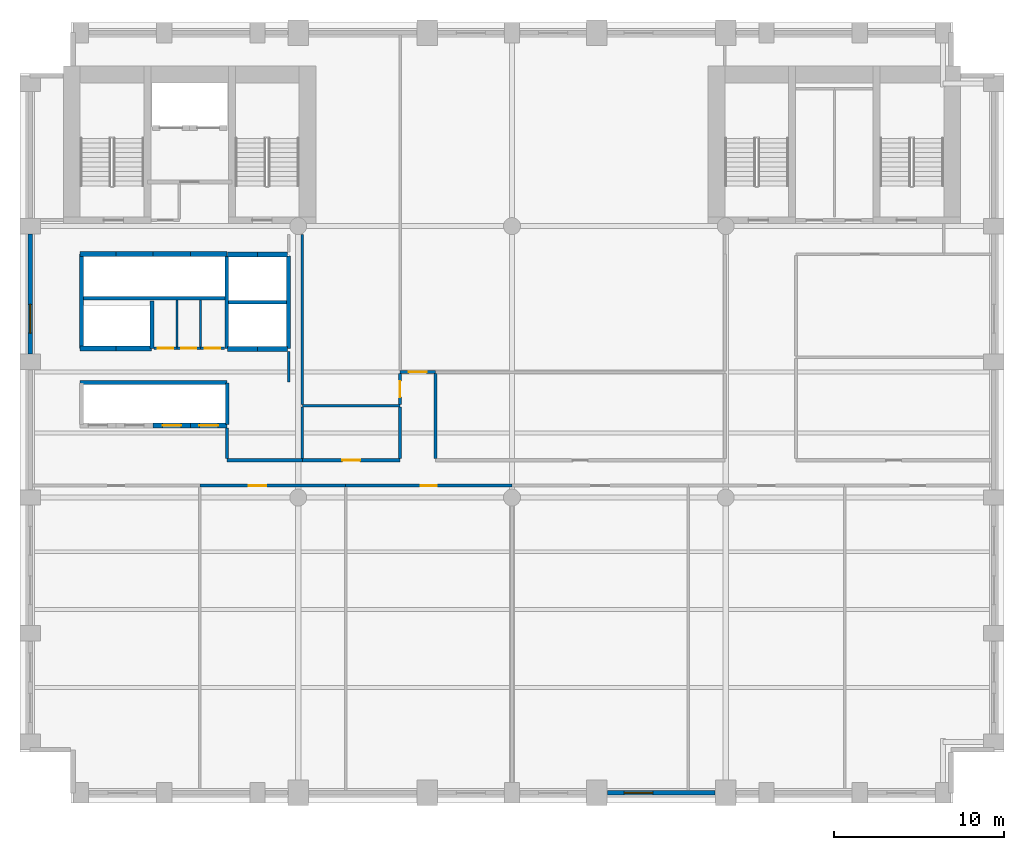
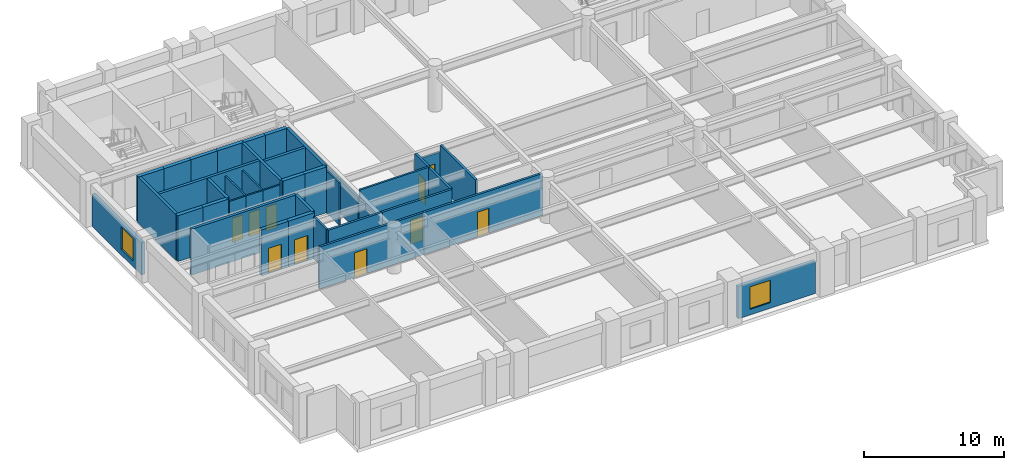
# One storey, part 3 of 8: 40 walls, 10 doors, 2 windows, 12 openings.
"""IFC4 building model written with IfcOpenShell, lengths in metres."""

from ifc_helpers import new_model, si_unit, direction, frame, frame_2d, origin, place, context, subcontext, project, spatial, rectangle, extrude, material, layer, layer_set, type_object, element, fill, save


model = new_model("IFC4")

# Units and contexts
model_context = context("Model", 3, precision=1e-05, world=origin(), true_north=direction((0.0, 1.0)))
body_context = subcontext(model_context, "Body", "Model", "MODEL_VIEW")
ifc_project = project(units=[si_unit("LENGTHUNIT", "METRE"), si_unit("AREAUNIT", "SQUARE_METRE"), si_unit("VOLUMEUNIT", "CUBIC_METRE"), si_unit("PLANEANGLEUNIT", "RADIAN"), si_unit("MASSUNIT", "GRAM", prefix="KILO")], contexts=[model_context])

# Site, building, storey
site_placement = place(None, origin())
site = spatial("IfcSite", under=ifc_project, at=site_placement, CompositionType="ELEMENT")
building_placement = place(site_placement, origin())
building = spatial("IfcBuilding", under=site, at=building_placement, Name="Sulina Concourse Tower", CompositionType="ELEMENT")
storey_placement = place(building_placement, frame((0.0, 0.0, 78.60009765625)))
storey = spatial("IfcBuildingStorey", under=building, at=storey_placement, Name="L19", CompositionType="ELEMENT", Elevation=78.60009765625)

# Walls
ifc_material_1 = material(Name="Concrete C50/60", Category="concrete")
ifc_layer_1 = layer(ifc_material_1, 0.219970703125)
ifc_layer_set_1 = layer_set([ifc_layer_1], Name="Concrete C50/60")
wall_type_1 = type_object("IfcWallType", Name="Core Lift Hoistway Divider Wall 220mm", PredefinedType="SOLIDWALL", material=ifc_layer_set_1)
wall_1_placement = place(storey_placement, frame((3.550048828125, 29.75, 0.0), z_axis=(0.0, 0.0, 1.0), x_axis=(1.0, 0.0, 0.0)))
element("IfcWall", 1, at=wall_1_placement, inside=storey, type_object=wall_type_1, Name="L19 shaft divider wall HW-LP3-S", PredefinedType="SOLIDWALL", context=body_context, shape_type="SweptSolid", body=[
    extrude(rectangle(XDim=8.64990234375, YDim=0.219970703125, at=frame_2d((4.324951171875, 0.0))), origin(), (0.0, 0.0, 1.0), 4.0),
])
wall_2_placement = place(storey_placement, frame((3.6298828125, 26.800048828125, 0.0), z_axis=(0.0, 0.0, 1.0), x_axis=(0.0, 1.0, 0.0)))
element("IfcWall", 2, at=wall_2_placement, inside=storey, type_object=wall_type_1, Name="L19 shaft divider wall HW-LP3-W", PredefinedType="SOLIDWALL", context=body_context, shape_type="SweptSolid", body=[
    extrude(rectangle(XDim=5.550048828125, YDim=0.219970703125, at=frame_2d((2.77490234375, 0.0))), origin(), (0.0, 0.0, 1.0), 4.0),
])
wall_3_placement = place(storey_placement, frame((7.780029296875, 26.800048828125, 0.0), z_axis=(0.0, 0.0, 1.0), x_axis=(0.0, 1.0, 0.0)))
element("IfcWall", 3, at=wall_3_placement, inside=storey, type_object=wall_type_1, Name="L19 shaft divider wall HW-EXP-E", PredefinedType="SOLIDWALL", context=body_context, shape_type="SweptSolid", body=[
    extrude(rectangle(XDim=2.800048828125, YDim=0.219970703125, at=frame_2d((1.39990234375, 0.0))), origin(), (0.0, 0.0, 1.0), 4.0),
])
for number, where, z_axis, x_axis, name in (
    (4, (12.179931640625, 26.800048828125, 0.0), (0.0, 0.0, 1.0), (0.0, 1.0, 0.0), "L19 shaft divider wall HW-LP2-W"),
    (5, (15.820068359375, 26.800048828125, 0.0), (0.0, 0.0, 1.0), (0.0, 1.0, 0.0), "L19 shaft divider wall HW-LP2-E"),
):
    element("IfcWall", number, at=place(storey_placement, frame(where, z_axis=z_axis, x_axis=x_axis)), inside=storey, type_object=wall_type_1, Name=name, PredefinedType="SOLIDWALL", context=body_context, shape_type="SweptSolid", body=[
        extrude(rectangle(XDim=5.449951171875, YDim=0.219970703125, at=frame_2d((2.72509765625, 0.0))), origin(), (0.0, 0.0, 1.0), 4.0),
    ])
wall_4_placement = place(storey_placement, frame((12.300048828125, 29.52001953125, 0.0), z_axis=(0.0, 0.0, 1.0), x_axis=(1.0, 0.0, 0.0)))
element("IfcWall", 6, at=wall_4_placement, inside=storey, type_object=wall_type_1, Name="L19 shaft divider wall HW-LP2-M", PredefinedType="SOLIDWALL", context=body_context, shape_type="SweptSolid", body=[
    extrude(rectangle(XDim=3.39990234375, YDim=0.219970703125, at=frame_2d((1.699951171875, 0.0))), origin(), (0.0, 0.0, 1.0), 4.0),
])
wall_5_placement = place(storey_placement, frame((3.550048828125, 24.780029296875, 0.0), z_axis=(0.0, 0.0, 1.0), x_axis=(1.0, 0.0, 0.0)))
element("IfcWall", 7, at=wall_5_placement, inside=storey, type_object=wall_type_1, Name="L19 shaft divider wall HW-LP1-N", PredefinedType="SOLIDWALL", context=body_context, shape_type="SweptSolid", body=[
    extrude(rectangle(XDim=8.64990234375, YDim=0.219970703125, at=frame_2d((4.324951171875, 0.0))), origin(), (0.0, 0.0, 1.0), 4.0),
])
wall_6_placement = place(storey_placement, frame((12.219970703125, 22.300048828125, 0.0), z_axis=(0.0, 0.0, 1.0), x_axis=(0.0, 1.0, 0.0)))
element("IfcWall", 8, at=wall_6_placement, inside=storey, type_object=wall_type_1, Name="L19 shaft divider wall HW-LP1-E", PredefinedType="SOLIDWALL", context=body_context, shape_type="SweptSolid", body=[
    extrude(rectangle(XDim=2.449951171875, YDim=0.219970703125, at=frame_2d((1.22509765625, 0.0))), origin(), (0.0, 0.0, 1.0), 4.0),
])

# Wall, opening, door
ifc_material_2 = material(Name="Concrete C50/60", Category="concrete")
ifc_layer_2 = layer(ifc_material_2, 0.300048828125)
ifc_layer_set_2 = layer_set([ifc_layer_2], Name="Concrete C50/60")
wall_type_2 = type_object("IfcWallType", Name="Core Lift Hoistway Wall 300mm", PredefinedType="SOLIDWALL", material=ifc_layer_set_2)
wall_7_placement = place(storey_placement, frame((10.050048828125, 22.25, 0.0), z_axis=(0.0, 0.0, 1.0), x_axis=(-1.0, 0.0, 0.0)))
wall_7 = element("IfcWall", 9, at=wall_7_placement, inside=storey, type_object=wall_type_2, Name="L19 hoistway enclosure wall LP-03", PredefinedType="SOLIDWALL", context=body_context, shape_type="SweptSolid", body=[
    extrude(rectangle(XDim=2.199951171875, YDim=0.300048828125, at=frame_2d((1.10009765625, 0.0))), origin(), (0.0, 0.0, 1.0), 4.0),
])
opening_1_placement = place(wall_7_placement, frame((0.550048828125, 0.0, 0.0)))
opening_1 = element("IfcOpeningElement", 10, at=opening_1_placement, cuts=wall_7, Name="Opening LD-01", PredefinedType="OPENING", context=body_context, shape_type="SweptSolid", body=[
    extrude(rectangle(XDim=1.10009765625, YDim=2.199951171875, at=frame_2d((0.550048828125, 1.10009765625))), frame((0.0, 0.159912109375, 0.0), z_axis=(0.0, -1.0, 0.0), x_axis=(1.0, 0.0, 0.0)), (0.0, 0.0, 1.0), 0.320068359375),
])
ifc_material_3 = material(Name="Stainless steel lift landing door", Category="steel")
ifc_layer_3 = layer(ifc_material_3, 0.050048828125)
ifc_layer_set_3 = layer_set([ifc_layer_3], Name="Stainless steel lift landing door")
door_type_1 = type_object("IfcDoorType", Name="Passenger Lift Sliding Landing Door 1100x2200", OperationType="SLIDING_TO_LEFT", PredefinedType="DOOR", material=ifc_layer_set_3)
door_1_placement = place(opening_1_placement, origin())
door_1 = element("IfcDoor", 11, at=door_1_placement, inside=storey, type_object=door_type_1, Name="L19 lift landing sliding door LP-03", OperationType="SLIDING_TO_LEFT", OverallHeight=2.199951171875, OverallWidth=1.10009765625, PredefinedType="DOOR", context=body_context, shape_type="SweptSolid", body=[
    extrude(rectangle(XDim=1.10009765625, YDim=2.199951171875, at=frame_2d((0.550048828125, 1.10009765625))), frame((0.0, 0.02490234375, 0.0), z_axis=(0.0, -1.0, 0.0), x_axis=(1.0, 0.0, 0.0)), (0.0, 0.0, 1.0), 0.050048828125),
])
fill(opening_1, door_1)

wall_8_placement = place(storey_placement, frame((12.199951171875, 22.25, 0.0), z_axis=(0.0, 0.0, 1.0), x_axis=(-1.0, 0.0, 0.0)))
wall_8 = element("IfcWall", 12, at=wall_8_placement, inside=storey, type_object=wall_type_2, Name="L19 hoistway enclosure wall LP-04", PredefinedType="SOLIDWALL", context=body_context, shape_type="SweptSolid", body=[
    extrude(rectangle(XDim=2.14990234375, YDim=0.300048828125, at=frame_2d((1.074951171875, 0.0))), origin(), (0.0, 0.0, 1.0), 4.0),
])
opening_2_placement = place(wall_8_placement, frame((0.52490234375, 0.0, 0.0)))
opening_2 = element("IfcOpeningElement", 13, at=opening_2_placement, cuts=wall_8, Name="Opening LD-01", PredefinedType="OPENING", context=body_context, shape_type="SweptSolid", body=[
    extrude(rectangle(XDim=1.10009765625, YDim=2.199951171875, at=frame_2d((0.550048828125, 1.10009765625))), frame((0.0, 0.159912109375, 0.0), z_axis=(0.0, -1.0, 0.0), x_axis=(1.0, 0.0, 0.0)), (0.0, 0.0, 1.0), 0.320068359375),
])
door_2_placement = place(opening_2_placement, origin())
door_2 = element("IfcDoor", 14, at=door_2_placement, inside=storey, type_object=door_type_1, Name="L19 lift landing sliding door LP-04", OperationType="SLIDING_TO_RIGHT", OverallHeight=2.199951171875, OverallWidth=1.10009765625, PredefinedType="DOOR", context=body_context, shape_type="SweptSolid", body=[
    extrude(rectangle(XDim=1.10009765625, YDim=2.199951171875, at=frame_2d((0.550048828125, 1.10009765625))), frame((0.0, 0.02490234375, 0.0), z_axis=(0.0, -1.0, 0.0), x_axis=(1.0, 0.0, 0.0)), (0.0, 0.0, 1.0), 0.050048828125),
])
fill(opening_2, door_2)

# Walls
for number, where, z_axis, x_axis, name in (
    (15, (14.0, 26.75, 0.0), (0.0, 0.0, 1.0), (-1.0, 0.0, 0.0), "L19 hoistway enclosure wall LP-05"),
    (16, (15.780029296875, 26.75, 0.0), (0.0, 0.0, 1.0), (-1.0, 0.0, 0.0), "L19 hoistway enclosure wall LP-06"),
    (17, (12.219970703125, 32.320068359375, 0.0), (0.0, 0.0, 1.0), (1.0, 0.0, 0.0), "L19 hoistway enclosure wall LP-07"),
    (18, (14.0, 32.320068359375, 0.0), (0.0, 0.0, 1.0), (1.0, 0.0, 0.0), "L19 hoistway enclosure wall LP-08"),
):
    element("IfcWall", number, at=place(storey_placement, frame(where, z_axis=z_axis, x_axis=x_axis)), inside=storey, type_object=wall_type_2, Name=name, PredefinedType="SOLIDWALL", context=body_context, shape_type="SweptSolid", body=[
        extrude(rectangle(XDim=1.780029296875, YDim=0.300048828125, at=frame_2d((0.89013671875, 0.0))), origin(), (0.0, 0.0, 1.0), 4.0),
    ])
wall_9_placement = place(storey_placement, frame((3.550048828125, 32.35009765625, 0.0), z_axis=(0.0, 0.0, 1.0), x_axis=(1.0, 0.0, 0.0)))
element("IfcWall", 19, at=wall_9_placement, inside=storey, type_object=wall_type_2, Name="L19 hoistway enclosure wall LP-09", PredefinedType="SOLIDWALL", context=body_context, shape_type="SweptSolid", body=[
    extrude(rectangle(XDim=2.099853515625, YDim=0.300048828125, at=frame_2d((1.0498046875, 0.0))), origin(), (0.0, 0.0, 1.0), 4.0),
])
wall_10_placement = place(storey_placement, frame((5.64990234375, 32.35009765625, 0.0), z_axis=(0.0, 0.0, 1.0), x_axis=(1.0, 0.0, 0.0)))
element("IfcWall", 20, at=wall_10_placement, inside=storey, type_object=wall_type_2, Name="L19 hoistway enclosure wall LP-10", PredefinedType="SOLIDWALL", context=body_context, shape_type="SweptSolid", body=[
    extrude(rectangle(XDim=2.2001953125, YDim=0.300048828125, at=frame_2d((1.10009765625, 0.0))), origin(), (0.0, 0.0, 1.0), 4.0),
])
wall_11_placement = place(storey_placement, frame((7.85009765625, 32.35009765625, 0.0), z_axis=(0.0, 0.0, 1.0), x_axis=(1.0, 0.0, 0.0)))
element("IfcWall", 21, at=wall_11_placement, inside=storey, type_object=wall_type_2, Name="L19 hoistway enclosure wall LP-11", PredefinedType="SOLIDWALL", context=body_context, shape_type="SweptSolid", body=[
    extrude(rectangle(XDim=2.199951171875, YDim=0.300048828125, at=frame_2d((1.10009765625, 0.0))), origin(), (0.0, 0.0, 1.0), 4.0),
])
wall_12_placement = place(storey_placement, frame((10.050048828125, 32.35009765625, 0.0), z_axis=(0.0, 0.0, 1.0), x_axis=(1.0, 0.0, 0.0)))
element("IfcWall", 22, at=wall_12_placement, inside=storey, type_object=wall_type_2, Name="L19 hoistway enclosure wall LP-12", PredefinedType="SOLIDWALL", context=body_context, shape_type="SweptSolid", body=[
    extrude(rectangle(XDim=2.14990234375, YDim=0.300048828125, at=frame_2d((1.074951171875, 0.0))), origin(), (0.0, 0.0, 1.0), 4.0),
])
wall_13_placement = place(storey_placement, frame((5.64990234375, 26.780029296875, 0.0), z_axis=(0.0, 0.0, 1.0), x_axis=(-1.0, 0.0, 0.0)))
element("IfcWall", 23, at=wall_13_placement, inside=storey, type_object=wall_type_2, Name="L19 hoistway enclosure wall EXP-1", PredefinedType="SOLIDWALL", context=body_context, shape_type="SweptSolid", body=[
    extrude(rectangle(XDim=2.099853515625, YDim=0.300048828125, at=frame_2d((1.0498046875, 0.0))), origin(), (0.0, 0.0, 1.0), 4.0),
])
wall_14_placement = place(storey_placement, frame((7.75, 26.780029296875, 0.0), z_axis=(0.0, 0.0, 1.0), x_axis=(-1.0, 0.0, 0.0)))
element("IfcWall", 24, at=wall_14_placement, inside=storey, type_object=wall_type_2, Name="L19 hoistway enclosure wall EXP-2", PredefinedType="SOLIDWALL", context=body_context, shape_type="SweptSolid", body=[
    extrude(rectangle(XDim=2.10009765625, YDim=0.300048828125, at=frame_2d((1.050048828125, 0.0))), origin(), (0.0, 0.0, 1.0), 4.0),
])
ifc_material_4 = material(Name="Gypsum board on steel stud", Category="steel")
ifc_layer_4 = layer(ifc_material_4, 0.14990234375)
ifc_layer_set_4 = layer_set([ifc_layer_4], Name="Gypsum board on steel stud")
wall_type_3 = type_object("IfcWallType", Name="Inter-Tenancy Acoustic Partition 150mm", PredefinedType="PARTITIONING", material=ifc_layer_set_4)
wall_15_placement = place(storey_placement, frame((16.64990234375, 23.39990234375, 0.0), z_axis=(0.0, 0.0, 1.0), x_axis=(1.0, 0.0, 0.0)))
element("IfcWall", 25, at=wall_15_placement, inside=storey, type_object=wall_type_3, Name="L19 interior partition 011", PredefinedType="PARTITIONING", context=body_context, shape_type="SweptSolid", body=[
    extrude(rectangle(XDim=5.75, YDim=0.14990234375, at=frame_2d((2.875, 0.0))), origin(), (0.0, 0.0, 1.0), 3.659912109375),
])
wall_16_placement = place(storey_placement, frame((12.199951171875, 20.2900390625, 0.0), z_axis=(0.0, 0.0, 1.0), x_axis=(0.0, 1.0, 0.0)))
element("IfcWall", 26, at=wall_16_placement, inside=storey, type_object=wall_type_3, Name="L19 interior partition 028", PredefinedType="PARTITIONING", context=body_context, shape_type="SweptSolid", body=[
    extrude(rectangle(XDim=1.81005859375, YDim=0.14990234375, at=frame_2d((0.905029296875, 0.0))), origin(), (0.0, 0.0, 1.0), 3.659912109375),
])
wall_17_placement = place(storey_placement, frame((15.85009765625, 24.800048828125, 0.0), z_axis=(0.0, 0.0, 1.0), x_axis=(0.0, 1.0, 0.0)))
element("IfcWall", 27, at=wall_17_placement, inside=storey, type_object=wall_type_3, Name="L19 interior partition 029", PredefinedType="PARTITIONING", context=body_context, shape_type="SweptSolid", body=[
    extrude(rectangle(XDim=1.800048828125, YDim=0.14990234375, at=frame_2d((0.89990234375, 0.0))), origin(), (0.0, 0.0, 1.0), 3.659912109375),
])
wall_18_placement = place(storey_placement, frame((16.64990234375, 20.2900390625, 0.0), z_axis=(0.0, 0.0, 1.0), x_axis=(0.0, 1.0, 0.0)))
element("IfcWall", 28, at=wall_18_placement, inside=storey, type_object=wall_type_3, Name="L19 interior partition 031", PredefinedType="PARTITIONING", context=body_context, shape_type="SweptSolid", body=[
    extrude(rectangle(XDim=3.034912109375, YDim=0.14990234375, at=frame_2d((1.517578125, 0.0))), origin(), (0.0, 0.0, 1.0), 2.954833984375),
])
wall_19_placement = place(storey_placement, frame((16.64990234375, 23.47509765625, 0.0), z_axis=(0.0, 0.0, 1.0), x_axis=(0.0, 1.0, 0.0)))
element("IfcWall", 29, at=wall_19_placement, inside=storey, type_object=wall_type_3, Name="L19 interior partition 032", PredefinedType="PARTITIONING", context=body_context, shape_type="SweptSolid", body=[
    extrude(rectangle(XDim=10.02490234375, YDim=0.14990234375, at=frame_2d((5.012451171875, 0.0))), origin(), (0.0, 0.0, 1.0), 2.954833984375),
])

# Wall, opening, door
ifc_material_5 = material(Name="Gypsum board on steel stud", Category="steel")
ifc_layer_5 = layer(ifc_material_5, 0.179931640625)
ifc_layer_set_5 = layer_set([ifc_layer_5], Name="Gypsum board on steel stud")
wall_type_4 = type_object("IfcWallType", Name="Protected Corridor & Riser Partition 180mm", PredefinedType="PARTITIONING", material=ifc_layer_set_5)
wall_20_placement = place(storey_placement, frame((10.60009765625, 18.699951171875, 0.0), z_axis=(0.0, 0.0, 1.0), x_axis=(1.0, 0.0, 0.0)))
wall_20 = element("IfcWall", 30, at=wall_20_placement, inside=storey, type_object=wall_type_4, Name="L19 interior partition 002", PredefinedType="PARTITIONING", context=body_context, shape_type="SweptSolid", body=[
    extrude(rectangle(XDim=8.599853515625, YDim=0.179931640625, at=frame_2d((4.2998046875, 0.0))), origin(), (0.0, 0.0, 1.0), 3.659912109375),
])
opening_3_placement = place(wall_20_placement, frame((2.875, 0.0, 0.0)))
opening_3 = element("IfcOpeningElement", 31, at=opening_3_placement, cuts=wall_20, Name="Opening DR-37", PredefinedType="OPENING", context=body_context, shape_type="SweptSolid", body=[
    extrude(rectangle(XDim=1.050048828125, YDim=2.14990234375, at=frame_2d((0.52490234375, 1.074951171875))), frame((0.0, 0.099853515625, 0.0), z_axis=(0.0, -1.0, 0.0), x_axis=(1.0, 0.0, 0.0)), (0.0, 0.0, 1.0), 0.199951171875),
])
ifc_material_6 = material(Name="Oak-veneered fire door leaf")
ifc_layer_6 = layer(ifc_material_6, 0.050048828125)
ifc_layer_set_6 = layer_set([ifc_layer_6], Name="Oak-veneered fire door leaf")
door_type_2 = type_object("IfcDoorType", Name="Tenant Suite Entrance Fire Door 1050x2150", OperationType="NOTDEFINED", PredefinedType="DOOR", material=ifc_layer_set_6)
door_3_placement = place(opening_3_placement, origin())
door_3 = element("IfcDoor", 32, at=door_3_placement, inside=storey, type_object=door_type_2, Name="L19 interior door L19-S02", OperationType="SINGLE_SWING_RIGHT", OverallHeight=2.14990234375, OverallWidth=1.050048828125, PredefinedType="DOOR", context=body_context, shape_type="SweptSolid", body=[
    extrude(rectangle(XDim=1.050048828125, YDim=2.14990234375, at=frame_2d((0.52490234375, 1.074951171875))), frame((0.0, 0.02490234375, 0.0), z_axis=(0.0, -1.0, 0.0), x_axis=(1.0, 0.0, 0.0)), (0.0, 0.0, 1.0), 0.050048828125),
])
fill(opening_3, door_3)

wall_21_placement = place(storey_placement, frame((19.199951171875, 18.699951171875, 0.0), z_axis=(0.0, 0.0, 1.0), x_axis=(1.0, 0.0, 0.0)))
wall_21 = element("IfcWall", 33, at=wall_21_placement, inside=storey, type_object=wall_type_4, Name="L19 interior partition 003", PredefinedType="PARTITIONING", context=body_context, shape_type="SweptSolid", body=[
    extrude(rectangle(XDim=9.800048828125, YDim=0.179931640625, at=frame_2d((4.89990234375, 0.0))), origin(), (0.0, 0.0, 1.0), 3.659912109375),
])
opening_4_placement = place(wall_21_placement, frame((4.425048828125, 0.0, 0.0)))
opening_4 = element("IfcOpeningElement", 34, at=opening_4_placement, cuts=wall_21, Name="Opening DR-19", PredefinedType="OPENING", context=body_context, shape_type="SweptSolid", body=[
    extrude(rectangle(XDim=0.949951171875, YDim=2.14990234375, at=frame_2d((0.47509765625, 1.074951171875))), frame((0.0, 0.099853515625, 0.0), z_axis=(0.0, -1.0, 0.0), x_axis=(1.0, 0.0, 0.0)), (0.0, 0.0, 1.0), 0.199951171875),
])
ifc_material_7 = material(Name="Oak-veneered acoustic timber leaf", Category="wood")
ifc_layer_7 = layer(ifc_material_7, 0.050048828125)
ifc_layer_set_7 = layer_set([ifc_layer_7], Name="Oak-veneered acoustic timber leaf")
door_type_3 = type_object("IfcDoorType", Name="Cellular Office & Meeting Door 950x2150", OperationType="NOTDEFINED", PredefinedType="DOOR", material=ifc_layer_set_7)
door_4_placement = place(opening_4_placement, origin())
door_4 = element("IfcDoor", 35, at=door_4_placement, inside=storey, type_object=door_type_3, Name="L19 interior door L19-S03", OperationType="SINGLE_SWING_LEFT", OverallHeight=2.14990234375, OverallWidth=0.949951171875, PredefinedType="DOOR", context=body_context, shape_type="SweptSolid", body=[
    extrude(rectangle(XDim=0.949951171875, YDim=2.14990234375, at=frame_2d((0.47509765625, 1.074951171875))), frame((0.0, 0.02490234375, 0.0), z_axis=(0.0, -1.0, 0.0), x_axis=(1.0, 0.0, 0.0)), (0.0, 0.0, 1.0), 0.050048828125),
])
fill(opening_4, door_4)

# Wall
wall_22_placement = place(storey_placement, frame((12.199951171875, 20.199951171875, 0.0), z_axis=(0.0, 0.0, 1.0), x_axis=(1.0, 0.0, 0.0)))
element("IfcWall", 36, at=wall_22_placement, inside=storey, type_object=wall_type_4, Name="L19 interior partition 007", PredefinedType="PARTITIONING", context=body_context, shape_type="SweptSolid", body=[
    extrude(rectangle(XDim=4.449951171875, YDim=0.179931640625, at=frame_2d((2.22509765625, 0.0))), origin(), (0.0, 0.0, 1.0), 3.659912109375),
])

# Wall, opening, door
wall_23_placement = place(storey_placement, frame((16.64990234375, 20.199951171875, 0.0), z_axis=(0.0, 0.0, 1.0), x_axis=(1.0, 0.0, 0.0)))
wall_23 = element("IfcWall", 37, at=wall_23_placement, inside=storey, type_object=wall_type_4, Name="L19 interior partition 008", PredefinedType="PARTITIONING", context=body_context, shape_type="SweptSolid", body=[
    extrude(rectangle(XDim=5.75, YDim=0.179931640625, at=frame_2d((2.875, 0.0))), origin(), (0.0, 0.0, 1.0), 3.659912109375),
])
opening_5_placement = place(wall_23_placement, frame((2.35009765625, 0.0, 0.0)))
opening_5 = element("IfcOpeningElement", 38, at=opening_5_placement, cuts=wall_23, Name="Opening DR-37", PredefinedType="OPENING", context=body_context, shape_type="SweptSolid", body=[
    extrude(rectangle(XDim=1.050048828125, YDim=2.14990234375, at=frame_2d((0.52490234375, 1.074951171875))), frame((0.0, 0.099853515625, 0.0), z_axis=(0.0, -1.0, 0.0), x_axis=(1.0, 0.0, 0.0)), (0.0, 0.0, 1.0), 0.199951171875),
])
door_5_placement = place(opening_5_placement, origin())
door_5 = element("IfcDoor", 39, at=door_5_placement, inside=storey, type_object=door_type_2, Name="L19 interior door L19-NC1", OperationType="SINGLE_SWING_LEFT", OverallHeight=2.14990234375, OverallWidth=1.050048828125, PredefinedType="DOOR", context=body_context, shape_type="SweptSolid", body=[
    extrude(rectangle(XDim=1.050048828125, YDim=2.14990234375, at=frame_2d((0.52490234375, 1.074951171875))), frame((0.0, 0.02490234375, 0.0), z_axis=(0.0, -1.0, 0.0), x_axis=(1.0, 0.0, 0.0)), (0.0, 0.0, 1.0), 0.050048828125),
])
fill(opening_5, door_5)

wall_24_placement = place(storey_placement, frame((22.39990234375, 25.39990234375, 0.0), z_axis=(0.0, 0.0, 1.0), x_axis=(1.0, 0.0, 0.0)))
wall_24 = element("IfcWall", 40, at=wall_24_placement, inside=storey, type_object=wall_type_4, Name="L19 interior partition 012", PredefinedType="PARTITIONING", context=body_context, shape_type="SweptSolid", body=[
    extrude(rectangle(XDim=2.10009765625, YDim=0.179931640625, at=frame_2d((1.050048828125, 0.0))), origin(), (0.0, 0.0, 1.0), 3.054931640625),
])
opening_6_placement = place(wall_24_placement, frame((0.52490234375, 0.0, 0.0)))
opening_6 = element("IfcOpeningElement", 41, at=opening_6_placement, cuts=wall_24, Name="Opening DR-37", PredefinedType="OPENING", context=body_context, shape_type="SweptSolid", body=[
    extrude(rectangle(XDim=1.050048828125, YDim=2.14990234375, at=frame_2d((0.52490234375, 1.074951171875))), frame((0.0, 0.099853515625, 0.0), z_axis=(0.0, -1.0, 0.0), x_axis=(1.0, 0.0, 0.0)), (0.0, 0.0, 1.0), 0.199951171875),
])
door_6_placement = place(opening_6_placement, origin())
door_6 = element("IfcDoor", 42, at=door_6_placement, inside=storey, type_object=door_type_2, Name="L19 interior door L19-NC4", OperationType="SINGLE_SWING_RIGHT", OverallHeight=2.14990234375, OverallWidth=1.050048828125, PredefinedType="DOOR", context=body_context, shape_type="SweptSolid", body=[
    extrude(rectangle(XDim=1.050048828125, YDim=2.14990234375, at=frame_2d((0.52490234375, 1.074951171875))), frame((0.0, 0.02490234375, 0.0), z_axis=(0.0, -1.0, 0.0), x_axis=(1.0, 0.0, 0.0)), (0.0, 0.0, 1.0), 0.050048828125),
])
fill(opening_6, door_6)

# Wall
wall_25_placement = place(storey_placement, frame((22.39990234375, 20.2900390625, 0.0), z_axis=(0.0, 0.0, 1.0), x_axis=(0.0, 1.0, 0.0)))
element("IfcWall", 43, at=wall_25_placement, inside=storey, type_object=wall_type_4, Name="L19 interior partition 034", PredefinedType="PARTITIONING", context=body_context, shape_type="SweptSolid", body=[
    extrude(rectangle(XDim=3.034912109375, YDim=0.179931640625, at=frame_2d((1.517578125, 0.0))), origin(), (0.0, 0.0, 1.0), 3.659912109375),
])

# Wall, opening, door
wall_26_placement = place(storey_placement, frame((22.39990234375, 23.47509765625, 0.0), z_axis=(0.0, 0.0, 1.0), x_axis=(0.0, 1.0, 0.0)))
wall_26 = element("IfcWall", 44, at=wall_26_placement, inside=storey, type_object=wall_type_4, Name="L19 interior partition 035", PredefinedType="PARTITIONING", context=body_context, shape_type="SweptSolid", body=[
    extrude(rectangle(XDim=1.8349609375, YDim=0.179931640625, at=frame_2d((0.91748046875, 0.0))), origin(), (0.0, 0.0, 1.0), 3.659912109375),
])
opening_7_placement = place(wall_26_placement, frame((0.4423828125, 0.0, 0.0)))
opening_7 = element("IfcOpeningElement", 45, at=opening_7_placement, cuts=wall_26, Name="Opening DR-19", PredefinedType="OPENING", context=body_context, shape_type="SweptSolid", body=[
    extrude(rectangle(XDim=0.949951171875, YDim=2.14990234375, at=frame_2d((0.47509765625, 1.074951171875))), frame((0.0, 0.099853515625, 0.0), z_axis=(0.0, -1.0, 0.0), x_axis=(1.0, 0.0, 0.0)), (0.0, 0.0, 1.0), 0.199951171875),
])
door_7_placement = place(opening_7_placement, origin())
door_7 = element("IfcDoor", 46, at=door_7_placement, inside=storey, type_object=door_type_3, Name="L19 interior door L19-NC2", OperationType="SINGLE_SWING_RIGHT", OverallHeight=2.14990234375, OverallWidth=0.949951171875, PredefinedType="DOOR", context=body_context, shape_type="SweptSolid", body=[
    extrude(rectangle(XDim=0.949951171875, YDim=2.14990234375, at=frame_2d((0.47509765625, 1.074951171875))), frame((0.0, 0.02490234375, 0.0), z_axis=(0.0, -1.0, 0.0), x_axis=(1.0, 0.0, 0.0)), (0.0, 0.0, 1.0), 0.050048828125),
])
fill(opening_7, door_7)

# Wall
wall_27_placement = place(storey_placement, frame((24.5, 20.2900390625, 0.0), z_axis=(0.0, 0.0, 1.0), x_axis=(0.0, 1.0, 0.0)))
element("IfcWall", 47, at=wall_27_placement, inside=storey, type_object=wall_type_4, Name="L19 interior partition 037", PredefinedType="PARTITIONING", context=body_context, shape_type="SweptSolid", body=[
    extrude(rectangle(XDim=5.02001953125, YDim=0.179931640625, at=frame_2d((2.510009765625, 0.0))), origin(), (0.0, 0.0, 1.0), 3.659912109375),
])

# Wall, opening, window
ifc_material_8 = material(Name="Precast concrete C50/60", Category="concrete")
ifc_layer_8 = layer(ifc_material_8, 0.280029296875)
ifc_layer_set_8 = layer_set([ifc_layer_8], Name="Precast concrete C50/60")
wall_type_5 = type_object("IfcWallType", Name="Typical Precast Masonry-Frame Facade Wall 280mm", PredefinedType="SOLIDWALL", material=ifc_layer_set_8)
wall_28_placement = place(storey_placement, frame((40.97998046875, 0.60009765625, 0.0), z_axis=(0.0, 0.0, 1.0), x_axis=(-1.0, 0.0, 0.0)))
wall_28 = element("IfcWall", 48, at=wall_28_placement, inside=storey, type_object=wall_type_5, Name="L19 exterior precast wall S7", PredefinedType="SOLIDWALL", context=body_context, shape_type="SweptSolid", body=[
    extrude(rectangle(XDim=6.35986328125, YDim=0.280029296875, at=frame_2d((3.179931640625, 0.0))), origin(), (0.0, 0.0, 1.0), 2.809814453125),
])
opening_8_placement = place(wall_28_placement, frame((3.67333984375, 0.0, 0.5)))
opening_8 = element("IfcOpeningElement", 49, at=opening_8_placement, cuts=wall_28, Name="Opening WN-66", PredefinedType="OPENING", context=body_context, shape_type="SweptSolid", body=[
    extrude(rectangle(XDim=1.699951171875, YDim=1.949951171875, at=frame_2d((0.85009765625, 0.97509765625))), frame((0.0, 0.14990234375, 0.0), z_axis=(0.0, -1.0, 0.0), x_axis=(1.0, 0.0, 0.0)), (0.0, 0.0, 1.0), 0.300048828125),
])
ifc_material_9 = material(Name="Low-E solar double glazing in bronze aluminium", Category="aluminium")
window_type = type_object("IfcWindowType", Name="Recessed Spandrel Window 1700x1950", PartitioningType="SINGLE_PANEL", PredefinedType="WINDOW", material=ifc_material_9)
window_1_placement = place(opening_8_placement, origin())
window_1 = element("IfcWindow", 50, at=window_1_placement, inside=storey, type_object=window_type, Name="L19 punched window S7-1", OverallHeight=1.949951171875, OverallWidth=1.699951171875, PartitioningType="SINGLE_PANEL", PredefinedType="WINDOW", context=body_context, shape_type="SweptSolid", body=[
    extrude(rectangle(XDim=1.699951171875, YDim=1.949951171875, at=frame_2d((0.85009765625, 0.97509765625))), frame((0.0, 0.030029296875, 0.0), z_axis=(0.0, -1.0, 0.0), x_axis=(1.0, 0.0, 0.0)), (0.0, 0.0, 1.0), 0.06005859375),
])
fill(opening_8, window_1)

wall_29_placement = place(storey_placement, frame((0.60009765625, 26.469970703125, 0.0), z_axis=(0.0, 0.0, 1.0), x_axis=(0.0, 1.0, 0.0)))
wall_29 = element("IfcWall", 51, at=wall_29_placement, inside=storey, type_object=wall_type_5, Name="L19 exterior precast wall W4", PredefinedType="SOLIDWALL", context=body_context, shape_type="SweptSolid", body=[
    extrude(rectangle(XDim=7.06005859375, YDim=0.280029296875, at=frame_2d((3.530029296875, 0.0))), origin(), (0.0, 0.0, 1.0), 2.809814453125),
])
opening_9_placement = place(wall_29_placement, frame((1.219970703125, 0.0, 0.5)))
opening_9 = element("IfcOpeningElement", 52, at=opening_9_placement, cuts=wall_29, Name="Opening WN-66", PredefinedType="OPENING", context=body_context, shape_type="SweptSolid", body=[
    extrude(rectangle(XDim=1.699951171875, YDim=1.949951171875, at=frame_2d((0.85009765625, 0.97509765625))), frame((0.0, 0.14990234375, 0.0), z_axis=(0.0, -1.0, 0.0), x_axis=(1.0, 0.0, 0.0)), (0.0, 0.0, 1.0), 0.300048828125),
])
window_2_placement = place(opening_9_placement, origin())
window_2 = element("IfcWindow", 53, at=window_2_placement, inside=storey, type_object=window_type, Name="L19 punched window W4-1", OverallHeight=1.949951171875, OverallWidth=1.699951171875, PartitioningType="SINGLE_PANEL", PredefinedType="WINDOW", context=body_context, shape_type="SweptSolid", body=[
    extrude(rectangle(XDim=1.699951171875, YDim=1.949951171875, at=frame_2d((0.85009765625, 0.97509765625))), frame((0.0, 0.030029296875, 0.0), z_axis=(0.0, -1.0, 0.0), x_axis=(1.0, 0.0, 0.0)), (0.0, 0.0, 1.0), 0.06005859375),
])
fill(opening_9, window_2)

# Wall, opening, door
ifc_material_10 = material(Name="Gypsum board on steel stud", Category="steel")
ifc_layer_9 = layer(ifc_material_10, 0.125)
ifc_layer_set_9 = layer_set([ifc_layer_9], Name="Gypsum board on steel stud")
wall_type_6 = type_object("IfcWallType", Name="Wet-Area Moisture-Resistant Partition 125mm", PredefinedType="PARTITIONING", material=ifc_layer_set_9)
wall_30_placement = place(storey_placement, frame((7.889892578125, 26.800048828125, 0.0), z_axis=(0.0, 0.0, 1.0), x_axis=(1.0, 0.0, 0.0)))
wall_30 = element("IfcWall", 54, at=wall_30_placement, inside=storey, type_object=wall_type_6, Name="L19 interior partition 015", PredefinedType="PARTITIONING", context=body_context, shape_type="SweptSolid", body=[
    extrude(rectangle(XDim=1.360107421875, YDim=0.125, at=frame_2d((0.68017578125, 0.0))), origin(), (0.0, 0.0, 1.0), 3.659912109375),
])
opening_10_placement = place(wall_30_placement, frame((0.22998046875, 0.0, 0.0)))
opening_10 = element("IfcOpeningElement", 55, at=opening_10_placement, cuts=wall_30, Name="Opening DR-21", PredefinedType="OPENING", context=body_context, shape_type="SweptSolid", body=[
    extrude(rectangle(XDim=0.89990234375, YDim=2.10009765625, at=frame_2d((0.449951171875, 1.050048828125))), frame((0.0, 0.072509765625, 0.0), z_axis=(0.0, -1.0, 0.0), x_axis=(1.0, 0.0, 0.0)), (0.0, 0.0, 1.0), 0.14501953125),
])
ifc_material_11 = material(Name="Oak-veneered fire door leaf")
ifc_layer_10 = layer(ifc_material_11, 0.050048828125)
ifc_layer_set_10 = layer_set([ifc_layer_10], Name="Oak-veneered fire door leaf")
door_type_4 = type_object("IfcDoorType", Name="Restroom & Service Door 900x2100", OperationType="NOTDEFINED", PredefinedType="DOOR", material=ifc_layer_set_10)
door_8_placement = place(opening_10_placement, origin())
door_8 = element("IfcDoor", 56, at=door_8_placement, inside=storey, type_object=door_type_4, Name="L19 interior door L19-WC-M", OperationType="SINGLE_SWING_LEFT", OverallHeight=2.10009765625, OverallWidth=0.89990234375, PredefinedType="DOOR", context=body_context, shape_type="SweptSolid", body=[
    extrude(rectangle(XDim=0.89990234375, YDim=2.10009765625, at=frame_2d((0.449951171875, 1.050048828125))), frame((0.0, 0.02490234375, 0.0), z_axis=(0.0, -1.0, 0.0), x_axis=(1.0, 0.0, 0.0)), (0.0, 0.0, 1.0), 0.050048828125),
])
fill(opening_10, door_8)

wall_31_placement = place(storey_placement, frame((9.25, 26.800048828125, 0.0), z_axis=(0.0, 0.0, 1.0), x_axis=(1.0, 0.0, 0.0)))
wall_31 = element("IfcWall", 57, at=wall_31_placement, inside=storey, type_object=wall_type_6, Name="L19 interior partition 016", PredefinedType="PARTITIONING", context=body_context, shape_type="SweptSolid", body=[
    extrude(rectangle(XDim=1.39990234375, YDim=0.125, at=frame_2d((0.699951171875, 0.0))), origin(), (0.0, 0.0, 1.0), 3.659912109375),
])
opening_11_placement = place(wall_31_placement, frame((0.25, 0.0, 0.0)))
opening_11 = element("IfcOpeningElement", 58, at=opening_11_placement, cuts=wall_31, Name="Opening DR-21", PredefinedType="OPENING", context=body_context, shape_type="SweptSolid", body=[
    extrude(rectangle(XDim=0.89990234375, YDim=2.10009765625, at=frame_2d((0.449951171875, 1.050048828125))), frame((0.0, 0.072509765625, 0.0), z_axis=(0.0, -1.0, 0.0), x_axis=(1.0, 0.0, 0.0)), (0.0, 0.0, 1.0), 0.14501953125),
])
door_9_placement = place(opening_11_placement, origin())
door_9 = element("IfcDoor", 59, at=door_9_placement, inside=storey, type_object=door_type_4, Name="L19 interior door L19-WC-F", OperationType="SINGLE_SWING_RIGHT", OverallHeight=2.10009765625, OverallWidth=0.89990234375, PredefinedType="DOOR", context=body_context, shape_type="SweptSolid", body=[
    extrude(rectangle(XDim=0.89990234375, YDim=2.10009765625, at=frame_2d((0.449951171875, 1.050048828125))), frame((0.0, 0.02490234375, 0.0), z_axis=(0.0, -1.0, 0.0), x_axis=(1.0, 0.0, 0.0)), (0.0, 0.0, 1.0), 0.050048828125),
])
fill(opening_11, door_9)

wall_32_placement = place(storey_placement, frame((10.64990234375, 26.800048828125, 0.0), z_axis=(0.0, 0.0, 1.0), x_axis=(1.0, 0.0, 0.0)))
wall_32 = element("IfcWall", 60, at=wall_32_placement, inside=storey, type_object=wall_type_6, Name="L19 interior partition 017", PredefinedType="PARTITIONING", context=body_context, shape_type="SweptSolid", body=[
    extrude(rectangle(XDim=1.400146484375, YDim=0.125, at=frame_2d((0.7001953125, 0.0))), origin(), (0.0, 0.0, 1.0), 3.659912109375),
])
opening_12_placement = place(wall_32_placement, frame((0.239990234375, 0.0, 0.0)))
opening_12 = element("IfcOpeningElement", 61, at=opening_12_placement, cuts=wall_32, Name="Opening DR-61", PredefinedType="OPENING", context=body_context, shape_type="SweptSolid", body=[
    extrude(rectangle(XDim=0.919921875, YDim=2.10009765625, at=frame_2d((0.4599609375, 1.050048828125))), frame((0.0, 0.072509765625, 0.0), z_axis=(0.0, -1.0, 0.0), x_axis=(1.0, 0.0, 0.0)), (0.0, 0.0, 1.0), 0.14501953125),
])
ifc_material_12 = material(Name="Oak-veneered fire door leaf")
ifc_layer_11 = layer(ifc_material_12, 0.050048828125)
ifc_layer_set_11 = layer_set([ifc_layer_11], Name="Oak-veneered fire door leaf")
door_type_5 = type_object("IfcDoorType", Name="Accessible WC Door 920x2100", OperationType="NOTDEFINED", PredefinedType="DOOR", material=ifc_layer_set_11)
door_10_placement = place(opening_12_placement, origin())
door_10 = element("IfcDoor", 62, at=door_10_placement, inside=storey, type_object=door_type_5, Name="L19 interior door L19-WC-ACC", OperationType="SINGLE_SWING_LEFT", OverallHeight=2.10009765625, OverallWidth=0.919921875, PredefinedType="DOOR", context=body_context, shape_type="SweptSolid", body=[
    extrude(rectangle(XDim=0.919921875, YDim=2.10009765625, at=frame_2d((0.4599609375, 1.050048828125))), frame((0.0, 0.02490234375, 0.0), z_axis=(0.0, -1.0, 0.0), x_axis=(1.0, 0.0, 0.0)), (0.0, 0.0, 1.0), 0.050048828125),
])
fill(opening_12, door_10)

# Walls
for number, where, z_axis, x_axis, name in (
    (63, (9.25, 26.862548828125, 0.0), (0.0, 0.0, 1.0), (0.0, 1.0, 0.0), "L19 interior partition 024"),
    (64, (10.64990234375, 26.862548828125, 0.0), (0.0, 0.0, 1.0), (0.0, 1.0, 0.0), "L19 interior partition 027"),
):
    element("IfcWall", number, at=place(storey_placement, frame(where, z_axis=z_axis, x_axis=x_axis)), inside=storey, type_object=wall_type_6, Name=name, PredefinedType="PARTITIONING", context=body_context, shape_type="SweptSolid", body=[
        extrude(rectangle(XDim=2.77734375, YDim=0.125, at=frame_2d((1.388671875, 0.0))), origin(), (0.0, 0.0, 1.0), 3.659912109375),
    ])

save(model, "model.ifc")
